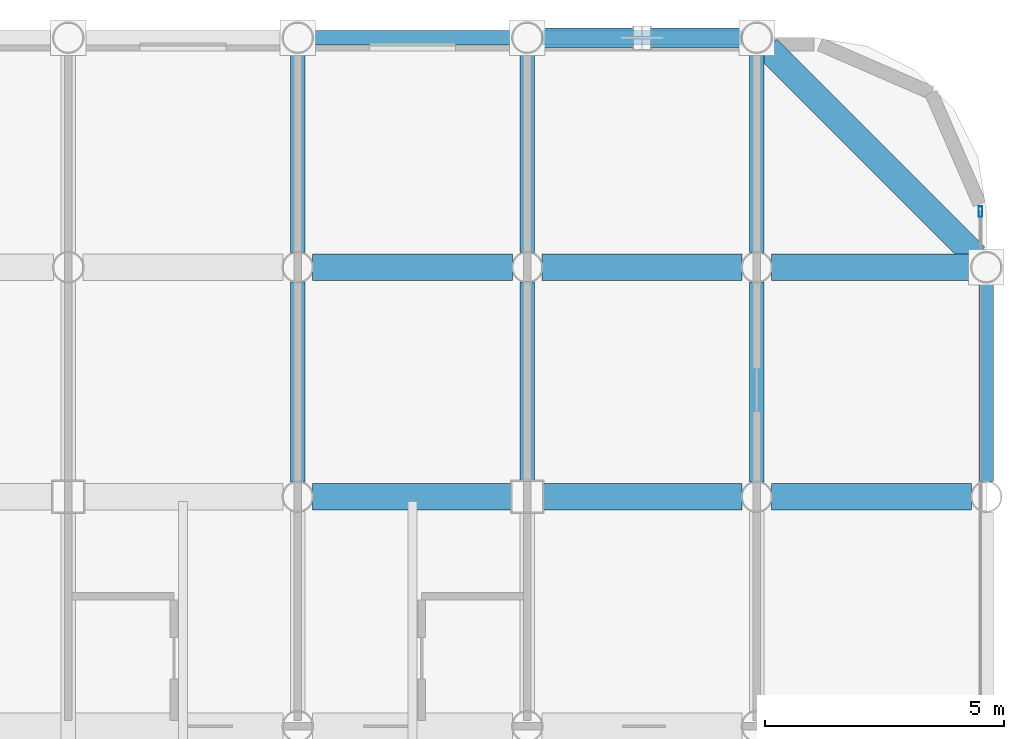
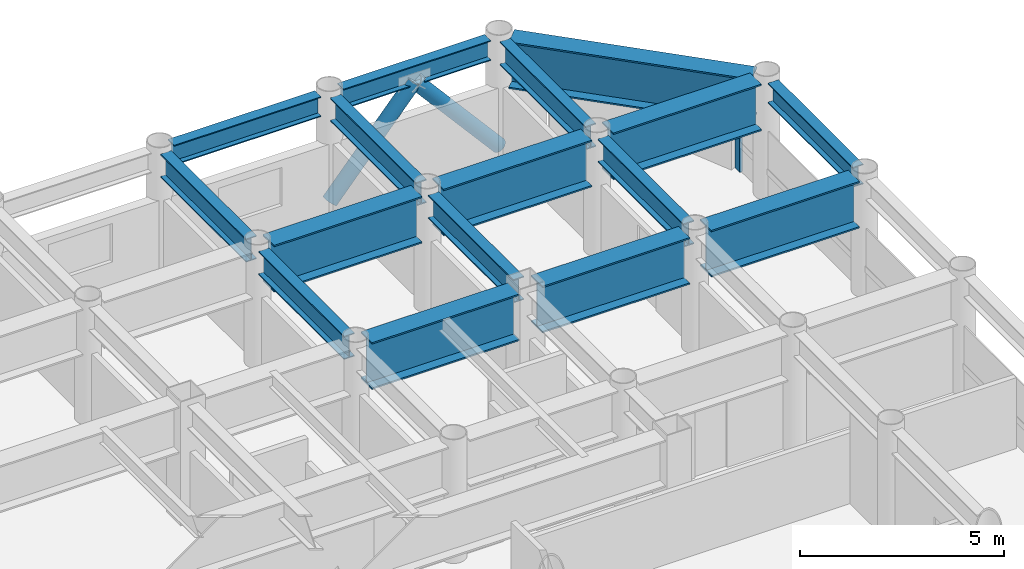
# One storey, part 15 of 22: 16 beams, 3 members, 1 element without a shape of its own.
"""IFC4 building model written with IfcOpenShell, lengths in metres."""

from ifc_helpers import new_model, si_unit, direction, frame, origin, origin_2d, place, context, subcontext, project, spatial, hollow_rectangle, hollow_circle, i_section, extrude, material, layer, layer_set, material_profile, profile_set, type_object, element, aggregate, save


model = new_model("IFC4")

# Units and contexts
model_context = context("Model", 3, precision=1e-05, world=origin(), true_north=direction((0.0, 1.0)))
body_context = subcontext(model_context, "Body", "Model", "MODEL_VIEW")
ifc_project = project(units=[si_unit("LENGTHUNIT", "METRE"), si_unit("AREAUNIT", "SQUARE_METRE"), si_unit("VOLUMEUNIT", "CUBIC_METRE"), si_unit("PLANEANGLEUNIT", "RADIAN"), si_unit("MASSUNIT", "GRAM", prefix="KILO")], contexts=[model_context])

# Site, building, storey
site_placement = place(None, origin())
site = spatial("IfcSite", under=ifc_project, at=site_placement, CompositionType="ELEMENT")
building_placement = place(site_placement, origin())
building = spatial("IfcBuilding", under=site, at=building_placement, Name="Kallvorn Hotel Tower", CompositionType="ELEMENT")
storey_placement = place(building_placement, frame((0.0, 0.0, 95.199951171875)))
storey = spatial("IfcBuildingStorey", under=building, at=storey_placement, Name="L22", CompositionType="ELEMENT", Elevation=95.199951171875)

# Beams
ifc_material_1 = material(Name="Structural steel S355JR", Category="steel")
ifc_material_profile_1 = material_profile(ifc_material_1, i_section(OverallWidth=0.300048828125, OverallDepth=0.60009765625, WebThickness=0.015380859375, FlangeThickness=0.030029296875, at=origin_2d()), Name="HE 600 B")
ifc_profile_set_1 = profile_set([ifc_material_profile_1], Name="Structural steel S355JR")
beam_type_1 = type_object("IfcBeamType", Name="BM_HE600B", PredefinedType="SPANDREL", material=ifc_profile_set_1)
for number, where, z_axis, x_axis, name in (
    (1, (19.52001953125, 24.0, 3.219970703125), (1.0, 0.0, 0.0), (0.0, 1.0, 0.0), "L23 Perimeter Spandrel 172"),
    (2, (24.320068359375, 24.0, 3.219970703125), (1.0, 0.0, 0.0), (0.0, 1.0, 0.0), "L23 Perimeter Spandrel 173"),
    (3, (33.60009765625, 14.719970703125, 3.219970703125), (0.0, 1.0, 0.0), (-1.0, 0.0, 0.0), "L23 Perimeter Spandrel 188"),
):
    element("IfcBeam", number, at=place(storey_placement, frame(where, z_axis=z_axis, x_axis=x_axis)), inside=storey, type_object=beam_type_1, Name=name, PredefinedType="SPANDREL", context=body_context, shape_type="SweptSolid", body=[
        extrude(i_section(OverallWidth=0.300048828125, OverallDepth=0.60009765625, WebThickness=0.015380859375, FlangeThickness=0.030029296875, at=origin_2d()), origin(), (0.0, 0.0, 1.0), 4.159912109375),
    ])
ifc_material_2 = material(Name="Structural steel S355JR", Category="steel")
ifc_material_profile_2 = material_profile(ifc_material_2, i_section(OverallWidth=0.300048828125, OverallDepth=0.699951171875, WebThickness=0.01708984375, FlangeThickness=0.031982421875, at=origin_2d()), Name="HE 700 B")
ifc_profile_set_2 = profile_set([ifc_material_profile_2], Name="Structural steel S355JR")
beam_type_2 = type_object("IfcBeamType", Name="BM_HE700B", PredefinedType="BEAM", material=ifc_profile_set_2)
beam_1_placement = place(storey_placement, frame((19.199951171875, 14.705078125, 3.170166015625), z_axis=(0.0, 1.0, 0.0), x_axis=(-1.0, 0.0, 0.0)))
element("IfcBeam", 4, at=beam_1_placement, inside=storey, type_object=beam_type_2, Name="L23 Primary Y-Girder 133", PredefinedType="BEAM", context=body_context, shape_type="SweptSolid", body=[
    extrude(i_section(OverallWidth=0.300048828125, OverallDepth=0.699951171875, WebThickness=0.01708984375, FlangeThickness=0.031982421875, at=origin_2d()), origin(), (0.0, 0.0, 1.0), 4.18994140625),
])
beam_2_placement = place(storey_placement, frame((19.199951171875, 19.5048828125, 3.170166015625), z_axis=(0.0, 1.0, 0.0), x_axis=(-1.0, 0.0, 0.0)))
element("IfcBeam", 5, at=beam_2_placement, inside=storey, type_object=beam_type_2, Name="L23 Primary Y-Girder 134", PredefinedType="BEAM", context=body_context, shape_type="SweptSolid", body=[
    extrude(i_section(OverallWidth=0.300048828125, OverallDepth=0.699951171875, WebThickness=0.01708984375, FlangeThickness=0.031982421875, at=origin_2d()), origin(), (0.0, 0.0, 1.0), 4.190185546875),
])
beam_3_placement = place(storey_placement, frame((24.0, 14.72509765625, 3.170166015625), z_axis=(0.0, 1.0, 0.0), x_axis=(-1.0, 0.0, 0.0)))
element("IfcBeam", 6, at=beam_3_placement, inside=storey, type_object=beam_type_2, Name="L23 Primary Y-Girder 140", PredefinedType="BEAM", context=body_context, shape_type="SweptSolid", body=[
    extrude(i_section(OverallWidth=0.300048828125, OverallDepth=0.699951171875, WebThickness=0.01708984375, FlangeThickness=0.031982421875, at=origin_2d()), origin(), (0.0, 0.0, 1.0), 4.169921875),
])
beam_4_placement = place(storey_placement, frame((24.0, 19.5048828125, 3.170166015625), z_axis=(0.0, 1.0, 0.0), x_axis=(-1.0, 0.0, 0.0)))
element("IfcBeam", 7, at=beam_4_placement, inside=storey, type_object=beam_type_2, Name="L23 Primary Y-Girder 141", PredefinedType="BEAM", context=body_context, shape_type="SweptSolid", body=[
    extrude(i_section(OverallWidth=0.300048828125, OverallDepth=0.699951171875, WebThickness=0.01708984375, FlangeThickness=0.031982421875, at=origin_2d()), origin(), (0.0, 0.0, 1.0), 4.190185546875),
])
beam_5_placement = place(storey_placement, frame((28.800048828125, 14.705078125, 3.170166015625), z_axis=(0.0, 1.0, 0.0), x_axis=(-1.0, 0.0, 0.0)))
element("IfcBeam", 8, at=beam_5_placement, inside=storey, type_object=beam_type_2, Name="L23 Primary Y-Girder 149", PredefinedType="BEAM", context=body_context, shape_type="SweptSolid", body=[
    extrude(i_section(OverallWidth=0.300048828125, OverallDepth=0.699951171875, WebThickness=0.01708984375, FlangeThickness=0.031982421875, at=origin_2d()), origin(), (0.0, 0.0, 1.0), 4.18994140625),
])
beam_6_placement = place(storey_placement, frame((28.800048828125, 19.5048828125, 3.170166015625), z_axis=(0.0, 1.0, 0.0), x_axis=(-1.0, 0.0, 0.0)))
element("IfcBeam", 9, at=beam_6_placement, inside=storey, type_object=beam_type_2, Name="L23 Primary Y-Girder 150", PredefinedType="BEAM", context=body_context, shape_type="SweptSolid", body=[
    extrude(i_section(OverallWidth=0.300048828125, OverallDepth=0.699951171875, WebThickness=0.01708984375, FlangeThickness=0.031982421875, at=origin_2d()), origin(), (0.0, 0.0, 1.0), 4.190185546875),
])
ifc_material_3 = material(Name="Structural steel S355JR", Category="steel")
ifc_material_profile_3 = material_profile(ifc_material_3, i_section(OverallWidth=0.550048828125, OverallDepth=1.39990234375, WebThickness=0.02490234375, FlangeThickness=0.044921875, at=origin_2d()), Name="PG 1400x550x25x45")
ifc_profile_set_3 = profile_set([ifc_material_profile_3], Name="Structural steel S355JR")
beam_type_3 = type_object("IfcBeamType", Name="BM_PG_1400", PredefinedType="BEAM", material=ifc_profile_set_3)
for number, where, z_axis, x_axis, name in (
    (10, (19.5048828125, 14.39990234375, 2.820068359375), (1.0, 0.0, 0.0), (0.0, 1.0, 0.0), "L23 Primary X-Girder 57"),
    (11, (24.324951171875, 14.39990234375, 2.820068359375), (1.0, 0.0, 0.0), (0.0, 1.0, 0.0), "L23 Primary X-Girder 58"),
):
    element("IfcBeam", number, at=place(storey_placement, frame(where, z_axis=z_axis, x_axis=x_axis)), inside=storey, type_object=beam_type_3, Name=name, PredefinedType="BEAM", context=body_context, shape_type="SweptSolid", body=[
        extrude(i_section(OverallWidth=0.550048828125, OverallDepth=1.39990234375, WebThickness=0.02490234375, FlangeThickness=0.044921875, at=origin_2d()), origin(), (0.0, 0.0, 1.0), 4.170166015625),
    ])
beam_7_placement = place(storey_placement, frame((29.10498046875, 14.39990234375, 2.820068359375), z_axis=(1.0, 0.0, 0.0), x_axis=(0.0, 1.0, 0.0)))
element("IfcBeam", 12, at=beam_7_placement, inside=storey, type_object=beam_type_3, Name="L23 Primary X-Girder 59", PredefinedType="BEAM", context=body_context, shape_type="SweptSolid", body=[
    extrude(i_section(OverallWidth=0.550048828125, OverallDepth=1.39990234375, WebThickness=0.02490234375, FlangeThickness=0.044921875, at=origin_2d()), origin(), (0.0, 0.0, 1.0), 4.18994140625),
])
for number, where, z_axis, x_axis, name in (
    (13, (19.5048828125, 19.199951171875, 2.820068359375), (1.0, 0.0, 0.0), (0.0, 1.0, 0.0), "L23 Primary X-Girder 70"),
    (14, (24.304931640625, 19.199951171875, 2.820068359375), (1.0, 0.0, 0.0), (0.0, 1.0, 0.0), "L23 Primary X-Girder 71"),
):
    element("IfcBeam", number, at=place(storey_placement, frame(where, z_axis=z_axis, x_axis=x_axis)), inside=storey, type_object=beam_type_3, Name=name, PredefinedType="BEAM", context=body_context, shape_type="SweptSolid", body=[
        extrude(i_section(OverallWidth=0.550048828125, OverallDepth=1.39990234375, WebThickness=0.02490234375, FlangeThickness=0.044921875, at=origin_2d()), origin(), (0.0, 0.0, 1.0), 4.190185546875),
    ])
beam_8_placement = place(storey_placement, frame((29.10498046875, 19.199951171875, 2.820068359375), z_axis=(1.0, 0.0, 0.0), x_axis=(0.0, 1.0, 0.0)))
element("IfcBeam", 15, at=beam_8_placement, inside=storey, type_object=beam_type_3, Name="L23 Primary X-Girder 72", PredefinedType="BEAM", context=body_context, shape_type="SweptSolid", body=[
    extrude(i_section(OverallWidth=0.550048828125, OverallDepth=1.39990234375, WebThickness=0.02490234375, FlangeThickness=0.044921875, at=origin_2d()), origin(), (0.0, 0.0, 1.0), 4.18994140625),
])
beam_9_placement = place(storey_placement, frame((33.373779296875, 19.42626953125, 2.820068359375), z_axis=(-0.707106781187, 0.707106781187, 0.0), x_axis=(-0.707106781187, -0.707106781187, 0.0)))
element("IfcBeam", 16, at=beam_9_placement, inside=storey, type_object=beam_type_3, Name="L23 Rounded Corner Tie Beam 191", PredefinedType="BEAM", context=body_context, shape_type="SweptSolid", body=[
    extrude(i_section(OverallWidth=0.550048828125, OverallDepth=1.39990234375, WebThickness=0.02490234375, FlangeThickness=0.044921875, at=origin_2d()), origin(), (0.0, 0.0, 1.0), 6.148193359375),
])

# Curtain wall, member
ifc_material_4 = material(Name="Thermally broken black-anodised aluminium AA 6063-T6", Category="aluminium")
ifc_layer = layer(ifc_material_4, 0.199951171875)
ifc_layer_set = layer_set([ifc_layer], Name="CW_SYS_3_HOTEL_LOW")
curtain_wall_type = type_object("IfcCurtainWallType", Name="CW_SYS_3_HOTEL_LOW", PredefinedType="USERDEFINED", material=ifc_layer_set)
curtain_wall_placement = place(storey_placement, origin())
curtain_wall = element("IfcCurtainWall", 17, at=curtain_wall_placement, inside=storey, type_object=curtain_wall_type, Name="L22 Dark-Glass Curtain Wall CW-L22-EN", ObjectType="UNITISED CURTAIN WALL", PredefinedType="USERDEFINED")
ifc_material_5 = material(Name="Thermally broken black-anodised aluminium AA 6063-T6", Category="aluminium")
ifc_material_profile_4 = material_profile(ifc_material_5, hollow_rectangle(XDim=0.080078125, YDim=0.219970703125, WallThickness=0.0048828125, at=origin_2d()), Name="MUL 220x80")
ifc_profile_set_4 = profile_set([ifc_material_profile_4], Name="Thermally broken black-anodised aluminium AA 6063-T6")
member_type_1 = type_object("IfcMemberType", Name="CW_MULLION_220x80", PredefinedType="MULLION", material=ifc_profile_set_4)
member_placement = place(storey_placement, frame((33.47998046875, 20.360107421875, 0.02001953125), z_axis=(0.0, 0.0, 1.0), x_axis=(1.0, 0.0, 0.0)))
member = element("IfcMember", 18, at=member_placement, type_object=member_type_1, Name="CW-L22-EN Mullion 01", PredefinedType="MULLION", context=body_context, shape_type="SweptSolid", body=[
    extrude(hollow_rectangle(XDim=0.080078125, YDim=0.219970703125, WallThickness=0.0048828125, at=origin_2d()), origin(), (0.0, 0.0, 1.0), 2.080078125),
])
aggregate(curtain_wall, [member])

# Members
ifc_material_6 = material(Name="Structural steel S355J2H", Category="steel")
ifc_material_profile_5 = material_profile(ifc_material_6, hollow_circle(Radius=0.203125, WallThickness=0.01611328125, at=origin_2d()), Name="CHS 406.4x16")
ifc_profile_set_5 = profile_set([ifc_material_profile_5], Name="Structural steel S355J2H")
member_type_2 = type_object("IfcMemberType", Name="MBR_EXO_CHS406", PredefinedType="BRACE", material=ifc_profile_set_5)
for number, where, z_axis, x_axis, name in (
    (19, (24.01318359375, 24.0, 0.195068359375), (0.653427382465, 0.0, 0.756989204576), (0.0, 1.0, 0.0), "L22 Exoskeleton K-Brace N2A"),
    (20, (28.786865234375, 24.0, 0.195068359375), (-0.653427382465, 0.0, 0.756989204576), (0.0, -1.0, 0.0), "L22 Exoskeleton K-Brace N2B"),
):
    element("IfcMember", number, at=place(storey_placement, frame(where, z_axis=z_axis, x_axis=x_axis)), inside=storey, type_object=member_type_2, Name=name, PredefinedType="BRACE", context=body_context, shape_type="SweptSolid", body=[
        extrude(hollow_circle(Radius=0.203125, WallThickness=0.01611328125, at=origin_2d()), origin(), (0.0, 0.0, 1.0), 3.6328125),
    ])

save(model, "model.ifc")
